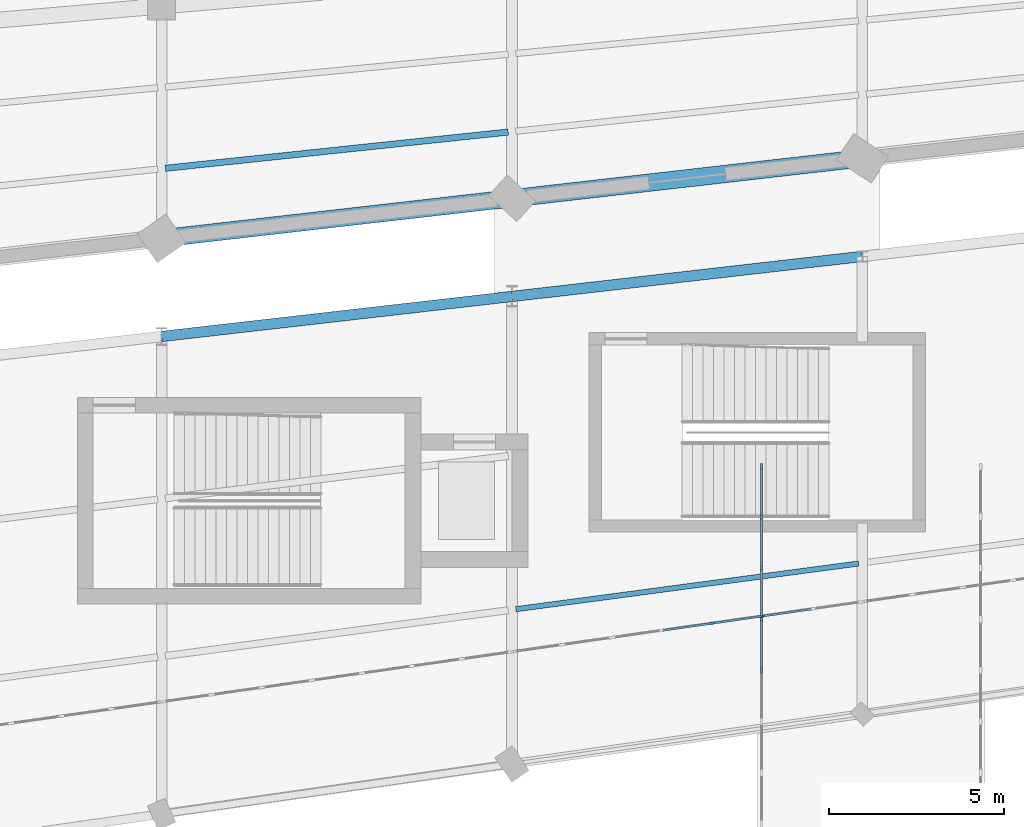
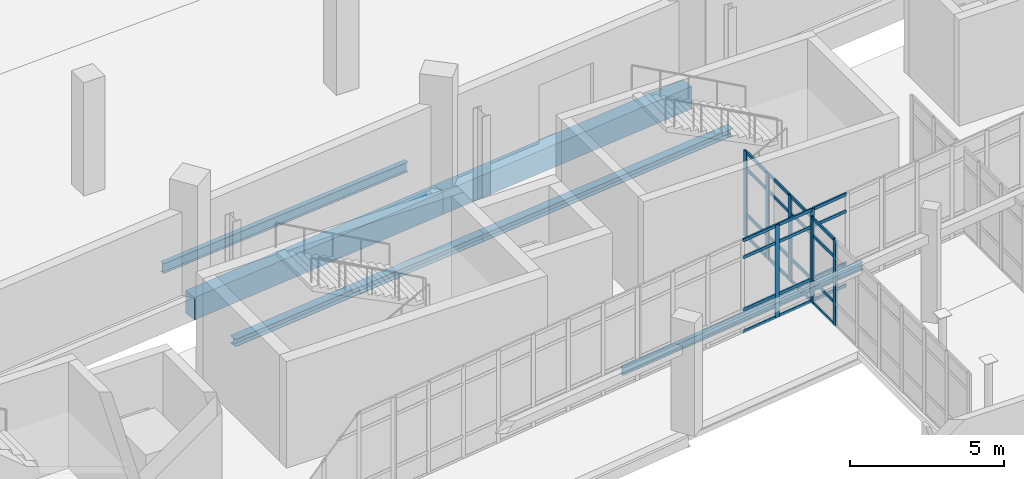
# One storey, part 45 of 122: 35 members, 6 beams, 2 elements without a shape of their own.
"""IFC4 building model written with IfcOpenShell, lengths in metres."""

from ifc_helpers import new_model, si_unit, direction, frame, origin, origin_2d, place, context, subcontext, project, spatial, rectangle, i_section, extrude, material, layer, layer_set, material_profile, profile_set, type_object, element, aggregate, save


model = new_model("IFC4")

# Units and contexts
model_context = context("Model", 3, precision=1e-05, world=origin(), true_north=direction((0.0, 1.0)))
body_context = subcontext(model_context, "Body", "Model", "MODEL_VIEW")
ifc_project = project(units=[si_unit("LENGTHUNIT", "METRE"), si_unit("AREAUNIT", "SQUARE_METRE"), si_unit("VOLUMEUNIT", "CUBIC_METRE"), si_unit("PLANEANGLEUNIT", "RADIAN"), si_unit("MASSUNIT", "GRAM", prefix="KILO")], contexts=[model_context])

# Site, building, storey
site_placement = place(None, origin())
site = spatial("IfcSite", under=ifc_project, at=site_placement, CompositionType="ELEMENT")
building_placement = place(site_placement, origin())
building = spatial("IfcBuilding", under=site, at=building_placement, Name="Sohan Crest Arena", CompositionType="ELEMENT")
storey_placement = place(building_placement, origin())
storey = spatial("IfcBuildingStorey", under=building, at=storey_placement, Name="L00", CompositionType="ELEMENT", Elevation=0.0)

# Curtain wall, members
ifc_material_1 = material(Name="Thermally broken anodised aluminium", Category="aluminium")
ifc_layer_1 = layer(ifc_material_1, 0.179931640625, Name="Thermally broken anodised aluminium")
ifc_layer_set_1 = layer_set([ifc_layer_1], Name="Thermally broken anodised aluminium")
curtain_wall_type_1 = type_object("IfcCurtainWallType", Name="ARC-CW01", PredefinedType="NOTDEFINED", material=ifc_layer_set_1)
curtain_wall_1_placement = place(storey_placement, origin())
curtain_wall_1 = element("IfcCurtainWall", 1, at=curtain_wall_1_placement, inside=storey, type_object=curtain_wall_type_1, Name="Unitised curtain wall CW-010", PredefinedType="NOTDEFINED")
ifc_material_profile_1 = material_profile(ifc_material_1, rectangle(XDim=0.06005859375, YDim=0.159912109375, at=origin_2d()), Name="ALU-MULL 60x160")
ifc_profile_set_1 = profile_set([ifc_material_profile_1], Name="Thermally broken anodised aluminium")
member_type_1 = type_object("IfcMemberType", Name="ARC-CW-ML01", PredefinedType="MULLION", material=ifc_profile_set_1)
member_1_placement = place(storey_placement, frame((133.71435546875, 38.302001953125, 0.0), z_axis=(0.0, 0.0, 1.0), x_axis=(-0.141365918403, 0.989957411768, 0.0)))
member_1 = element("IfcMember", 2, at=member_1_placement, type_object=member_type_1, Name="CW-010 mullion 5", PredefinedType="MULLION", context=body_context, shape_type="SweptSolid", body=[
    extrude(rectangle(XDim=0.06005859375, YDim=0.159912109375, at=origin_2d()), origin(), (0.0, 0.0, 1.0), 3.679931640625),
])
member_2_placement = place(storey_placement, frame((135.142822265625, 38.506103515625, 0.0), z_axis=(0.0, 0.0, 1.0), x_axis=(-0.141365918403, 0.989957411768, 0.0)))
member_2 = element("IfcMember", 3, at=member_2_placement, type_object=member_type_1, Name="CW-010 mullion 6", PredefinedType="MULLION", context=body_context, shape_type="SweptSolid", body=[
    extrude(rectangle(XDim=0.06005859375, YDim=0.159912109375, at=origin_2d()), origin(), (0.0, 0.0, 1.0), 3.679931640625),
])

ifc_layer_2 = layer(ifc_material_1, 0.18994140625, Name="Thermally broken anodised aluminium")
ifc_layer_set_2 = layer_set([ifc_layer_2], Name="Thermally broken anodised aluminium")
curtain_wall_type_2 = type_object("IfcCurtainWallType", Name="ARC-CW05", PredefinedType="NOTDEFINED", material=ifc_layer_set_2)
curtain_wall_2_placement = place(storey_placement, origin())
curtain_wall_2 = element("IfcCurtainWall", 4, at=curtain_wall_2_placement, inside=storey, type_object=curtain_wall_type_2, Name="Unitised curtain wall CW-253", PredefinedType="NOTDEFINED")
ifc_material_profile_2 = material_profile(ifc_material_1, rectangle(XDim=0.06494140625, YDim=0.179931640625, at=origin_2d()), Name="ALU-MULL 65x180")
ifc_profile_set_2 = profile_set([ifc_material_profile_2], Name="Thermally broken anodised aluminium")
member_type_2 = type_object("IfcMemberType", Name="ARC-CW-ML02", PredefinedType="MULLION", material=ifc_profile_set_2)
member_3_placement = place(storey_placement, frame((135.1201171875, 36.9599609375, 0.0), z_axis=(0.0, 0.0, 1.0), x_axis=(-1.0, 0.0, 0.0)))
member_3 = element("IfcMember", 5, at=member_3_placement, type_object=member_type_2, Name="CW-253 mullion 7", PredefinedType="MULLION", context=body_context, shape_type="SweptSolid", body=[
    extrude(rectangle(XDim=0.06494140625, YDim=0.179931640625, at=origin_2d()), origin(), (0.0, 0.0, 1.0), 3.39990234375),
])
member_4_placement = place(storey_placement, frame((135.1201171875, 38.419921875, 0.0), z_axis=(0.0, 0.0, 1.0), x_axis=(-1.0, 0.0, 0.0)))
member_4 = element("IfcMember", 6, at=member_4_placement, type_object=member_type_2, Name="CW-253 mullion 8", PredefinedType="MULLION", context=body_context, shape_type="SweptSolid", body=[
    extrude(rectangle(XDim=0.06494140625, YDim=0.179931640625, at=origin_2d()), origin(), (0.0, 0.0, 1.0), 3.39990234375),
])
member_5_placement = place(storey_placement, frame((135.1201171875, 39.8798828125, 0.0), z_axis=(0.0, 0.0, 1.0), x_axis=(-1.0, 0.0, 0.0)))
member_5 = element("IfcMember", 7, at=member_5_placement, type_object=member_type_2, Name="CW-253 mullion 9", PredefinedType="MULLION", context=body_context, shape_type="SweptSolid", body=[
    extrude(rectangle(XDim=0.06494140625, YDim=0.179931640625, at=origin_2d()), origin(), (0.0, 0.0, 1.0), 3.39990234375),
])
member_6_placement = place(storey_placement, frame((135.1201171875, 41.340087890625, 0.0), z_axis=(0.0, 0.0, 1.0), x_axis=(-1.0, 0.0, 0.0)))
member_6 = element("IfcMember", 8, at=member_6_placement, type_object=member_type_2, Name="CW-253 mullion 10", PredefinedType="MULLION", context=body_context, shape_type="SweptSolid", body=[
    extrude(rectangle(XDim=0.06494140625, YDim=0.179931640625, at=origin_2d()), origin(), (0.0, 0.0, 1.0), 3.39990234375),
])
member_7_placement = place(storey_placement, frame((135.1201171875, 42.767578125, 0.0), z_axis=(0.0, 0.0, 1.0), x_axis=(-1.0, 0.0, 0.0)))
member_7 = element("IfcMember", 9, at=member_7_placement, type_object=member_type_2, Name="CW-253 mullion 11", PredefinedType="MULLION", context=body_context, shape_type="SweptSolid", body=[
    extrude(rectangle(XDim=0.06494140625, YDim=0.179931640625, at=origin_2d()), origin(), (0.0, 0.0, 1.0), 3.39990234375),
])

# Member
ifc_material_profile_3 = material_profile(ifc_material_1, rectangle(XDim=0.06005859375, YDim=0.1201171875, at=origin_2d()), Name="ALU-TRAN 60x120")
ifc_profile_set_3 = profile_set([ifc_material_profile_3], Name="Thermally broken anodised aluminium")
member_type_3 = type_object("IfcMemberType", Name="ARC-CW-TR01", PredefinedType="USERDEFINED", material=ifc_profile_set_3)
member_8_placement = place(storey_placement, frame((132.3154296875, 38.102294921875, 0.030029296875), z_axis=(0.989953023856, 0.141396642673, 0.0), x_axis=(-0.141396642673, 0.989953023856, 0.0)))
member_8 = element("IfcMember", 10, at=member_8_placement, type_object=member_type_3, Name="CW-010 transom 4.1", ObjectType="TRANSOM", PredefinedType="USERDEFINED", context=body_context, shape_type="SweptSolid", body=[
    extrude(rectangle(XDim=0.06005859375, YDim=0.1201171875, at=origin_2d()), origin(), (0.0, 0.0, 1.0), 1.383056640625),
])

member_9_placement = place(storey_placement, frame((132.3154296875, 38.102294921875, 0.89990234375), z_axis=(0.989953023856, 0.141396642673, 0.0), x_axis=(-0.141396642673, 0.989953023856, 0.0)))
member_9 = element("IfcMember", 11, at=member_9_placement, type_object=member_type_3, Name="CW-010 transom 4.2", ObjectType="TRANSOM", PredefinedType="USERDEFINED", context=body_context, shape_type="SweptSolid", body=[
    extrude(rectangle(XDim=0.06005859375, YDim=0.1201171875, at=origin_2d()), origin(), (0.0, 0.0, 1.0), 1.383056640625),
])

member_10_placement = place(storey_placement, frame((132.3154296875, 38.102294921875, 2.97998046875), z_axis=(0.989953023856, 0.141396642673, 0.0), x_axis=(-0.141396642673, 0.989953023856, 0.0)))
member_10 = element("IfcMember", 12, at=member_10_placement, type_object=member_type_3, Name="CW-010 transom 4.3", ObjectType="TRANSOM", PredefinedType="USERDEFINED", context=body_context, shape_type="SweptSolid", body=[
    extrude(rectangle(XDim=0.06005859375, YDim=0.1201171875, at=origin_2d()), origin(), (0.0, 0.0, 1.0), 1.383056640625),
])

member_11_placement = place(storey_placement, frame((132.3154296875, 38.102294921875, 3.64990234375), z_axis=(0.989953023856, 0.141396642673, 0.0), x_axis=(-0.141396642673, 0.989953023856, 0.0)))
member_11 = element("IfcMember", 13, at=member_11_placement, type_object=member_type_3, Name="CW-010 transom 4.4", ObjectType="TRANSOM", PredefinedType="USERDEFINED", context=body_context, shape_type="SweptSolid", body=[
    extrude(rectangle(XDim=0.06005859375, YDim=0.1201171875, at=origin_2d()), origin(), (0.0, 0.0, 1.0), 1.383056640625),
])

member_12_placement = place(storey_placement, frame((133.743896484375, 38.30615234375, 0.030029296875), z_axis=(0.989953023856, 0.141396642673, 0.0), x_axis=(-0.141396642673, 0.989953023856, 0.0)))
member_12 = element("IfcMember", 14, at=member_12_placement, type_object=member_type_3, Name="CW-010 transom 5.1", ObjectType="TRANSOM", PredefinedType="USERDEFINED", context=body_context, shape_type="SweptSolid", body=[
    extrude(rectangle(XDim=0.06005859375, YDim=0.1201171875, at=origin_2d()), origin(), (0.0, 0.0, 1.0), 1.383056640625),
])

member_13_placement = place(storey_placement, frame((133.743896484375, 38.30615234375, 0.89990234375), z_axis=(0.989953023856, 0.141396642673, 0.0), x_axis=(-0.141396642673, 0.989953023856, 0.0)))
member_13 = element("IfcMember", 15, at=member_13_placement, type_object=member_type_3, Name="CW-010 transom 5.2", ObjectType="TRANSOM", PredefinedType="USERDEFINED", context=body_context, shape_type="SweptSolid", body=[
    extrude(rectangle(XDim=0.06005859375, YDim=0.1201171875, at=origin_2d()), origin(), (0.0, 0.0, 1.0), 1.383056640625),
])

member_14_placement = place(storey_placement, frame((133.743896484375, 38.30615234375, 2.97998046875), z_axis=(0.989953023856, 0.141396642673, 0.0), x_axis=(-0.141396642673, 0.989953023856, 0.0)))
member_14 = element("IfcMember", 16, at=member_14_placement, type_object=member_type_3, Name="CW-010 transom 5.3", ObjectType="TRANSOM", PredefinedType="USERDEFINED", context=body_context, shape_type="SweptSolid", body=[
    extrude(rectangle(XDim=0.06005859375, YDim=0.1201171875, at=origin_2d()), origin(), (0.0, 0.0, 1.0), 1.383056640625),
])

member_15_placement = place(storey_placement, frame((133.743896484375, 38.30615234375, 3.64990234375), z_axis=(0.989953023856, 0.141396642673, 0.0), x_axis=(-0.141396642673, 0.989953023856, 0.0)))
member_15 = element("IfcMember", 17, at=member_15_placement, type_object=member_type_3, Name="CW-010 transom 5.4", ObjectType="TRANSOM", PredefinedType="USERDEFINED", context=body_context, shape_type="SweptSolid", body=[
    extrude(rectangle(XDim=0.06005859375, YDim=0.1201171875, at=origin_2d()), origin(), (0.0, 0.0, 1.0), 1.383056640625),
])

member_16_placement = place(storey_placement, frame((135.172607421875, 38.51025390625, 0.030029296875), z_axis=(0.989953023856, 0.141396642673, 0.0), x_axis=(-0.141396642673, 0.989953023856, 0.0)))
member_16 = element("IfcMember", 18, at=member_16_placement, type_object=member_type_3, Name="CW-010 transom 6.1", ObjectType="TRANSOM", PredefinedType="USERDEFINED", context=body_context, shape_type="SweptSolid", body=[
    extrude(rectangle(XDim=0.06005859375, YDim=0.1201171875, at=origin_2d()), origin(), (0.0, 0.0, 1.0), 1.383056640625),
])

member_17_placement = place(storey_placement, frame((135.172607421875, 38.51025390625, 0.89990234375), z_axis=(0.989953023856, 0.141396642673, 0.0), x_axis=(-0.141396642673, 0.989953023856, 0.0)))
member_17 = element("IfcMember", 19, at=member_17_placement, type_object=member_type_3, Name="CW-010 transom 6.2", ObjectType="TRANSOM", PredefinedType="USERDEFINED", context=body_context, shape_type="SweptSolid", body=[
    extrude(rectangle(XDim=0.06005859375, YDim=0.1201171875, at=origin_2d()), origin(), (0.0, 0.0, 1.0), 1.383056640625),
])

member_18_placement = place(storey_placement, frame((135.172607421875, 38.51025390625, 2.97998046875), z_axis=(0.989953023856, 0.141396642673, 0.0), x_axis=(-0.141396642673, 0.989953023856, 0.0)))
member_18 = element("IfcMember", 20, at=member_18_placement, type_object=member_type_3, Name="CW-010 transom 6.3", ObjectType="TRANSOM", PredefinedType="USERDEFINED", context=body_context, shape_type="SweptSolid", body=[
    extrude(rectangle(XDim=0.06005859375, YDim=0.1201171875, at=origin_2d()), origin(), (0.0, 0.0, 1.0), 1.383056640625),
])

member_19_placement = place(storey_placement, frame((135.172607421875, 38.51025390625, 3.64990234375), z_axis=(0.989953023856, 0.141396642673, 0.0), x_axis=(-0.141396642673, 0.989953023856, 0.0)))
member_19 = element("IfcMember", 21, at=member_19_placement, type_object=member_type_3, Name="CW-010 transom 6.4", ObjectType="TRANSOM", PredefinedType="USERDEFINED", context=body_context, shape_type="SweptSolid", body=[
    extrude(rectangle(XDim=0.06005859375, YDim=0.1201171875, at=origin_2d()), origin(), (0.0, 0.0, 1.0), 1.383056640625),
])

aggregate(curtain_wall_1, [member_1, member_2, member_8, member_9, member_10, member_11, member_12, member_13, member_14, member_15, member_16, member_17, member_18, member_19])

member_20_placement = place(storey_placement, frame((135.1201171875, 36.992431640625, 0.030029296875), z_axis=(0.0, 1.0, 0.0), x_axis=(-1.0, 0.0, 0.0)))
member_20 = element("IfcMember", 22, at=member_20_placement, type_object=member_type_3, Name="CW-253 transom 7.1", ObjectType="TRANSOM", PredefinedType="USERDEFINED", context=body_context, shape_type="SweptSolid", body=[
    extrude(rectangle(XDim=0.06005859375, YDim=0.1201171875, at=origin_2d()), origin(), (0.0, 0.0, 1.0), 1.39501953125),
])

member_21_placement = place(storey_placement, frame((135.1201171875, 36.992431640625, 0.89990234375), z_axis=(0.0, 1.0, 0.0), x_axis=(-1.0, 0.0, 0.0)))
member_21 = element("IfcMember", 23, at=member_21_placement, type_object=member_type_3, Name="CW-253 transom 7.2", ObjectType="TRANSOM", PredefinedType="USERDEFINED", context=body_context, shape_type="SweptSolid", body=[
    extrude(rectangle(XDim=0.06005859375, YDim=0.1201171875, at=origin_2d()), origin(), (0.0, 0.0, 1.0), 1.39501953125),
])

member_22_placement = place(storey_placement, frame((135.1201171875, 36.992431640625, 2.699951171875), z_axis=(0.0, 1.0, 0.0), x_axis=(-1.0, 0.0, 0.0)))
member_22 = element("IfcMember", 24, at=member_22_placement, type_object=member_type_3, Name="CW-253 transom 7.3", ObjectType="TRANSOM", PredefinedType="USERDEFINED", context=body_context, shape_type="SweptSolid", body=[
    extrude(rectangle(XDim=0.06005859375, YDim=0.1201171875, at=origin_2d()), origin(), (0.0, 0.0, 1.0), 1.39501953125),
])

member_23_placement = place(storey_placement, frame((135.1201171875, 36.992431640625, 3.3701171875), z_axis=(0.0, 1.0, 0.0), x_axis=(-1.0, 0.0, 0.0)))
member_23 = element("IfcMember", 25, at=member_23_placement, type_object=member_type_3, Name="CW-253 transom 7.4", ObjectType="TRANSOM", PredefinedType="USERDEFINED", context=body_context, shape_type="SweptSolid", body=[
    extrude(rectangle(XDim=0.06005859375, YDim=0.1201171875, at=origin_2d()), origin(), (0.0, 0.0, 1.0), 1.39501953125),
])

member_24_placement = place(storey_placement, frame((135.1201171875, 38.452392578125, 0.030029296875), z_axis=(0.0, 1.0, 0.0), x_axis=(-1.0, 0.0, 0.0)))
member_24 = element("IfcMember", 26, at=member_24_placement, type_object=member_type_3, Name="CW-253 transom 8.1", ObjectType="TRANSOM", PredefinedType="USERDEFINED", context=body_context, shape_type="SweptSolid", body=[
    extrude(rectangle(XDim=0.06005859375, YDim=0.1201171875, at=origin_2d()), origin(), (0.0, 0.0, 1.0), 1.39501953125),
])

member_25_placement = place(storey_placement, frame((135.1201171875, 38.452392578125, 0.89990234375), z_axis=(0.0, 1.0, 0.0), x_axis=(-1.0, 0.0, 0.0)))
member_25 = element("IfcMember", 27, at=member_25_placement, type_object=member_type_3, Name="CW-253 transom 8.2", ObjectType="TRANSOM", PredefinedType="USERDEFINED", context=body_context, shape_type="SweptSolid", body=[
    extrude(rectangle(XDim=0.06005859375, YDim=0.1201171875, at=origin_2d()), origin(), (0.0, 0.0, 1.0), 1.39501953125),
])

member_26_placement = place(storey_placement, frame((135.1201171875, 38.452392578125, 2.699951171875), z_axis=(0.0, 1.0, 0.0), x_axis=(-1.0, 0.0, 0.0)))
member_26 = element("IfcMember", 28, at=member_26_placement, type_object=member_type_3, Name="CW-253 transom 8.3", ObjectType="TRANSOM", PredefinedType="USERDEFINED", context=body_context, shape_type="SweptSolid", body=[
    extrude(rectangle(XDim=0.06005859375, YDim=0.1201171875, at=origin_2d()), origin(), (0.0, 0.0, 1.0), 1.39501953125),
])

member_27_placement = place(storey_placement, frame((135.1201171875, 38.452392578125, 3.3701171875), z_axis=(0.0, 1.0, 0.0), x_axis=(-1.0, 0.0, 0.0)))
member_27 = element("IfcMember", 29, at=member_27_placement, type_object=member_type_3, Name="CW-253 transom 8.4", ObjectType="TRANSOM", PredefinedType="USERDEFINED", context=body_context, shape_type="SweptSolid", body=[
    extrude(rectangle(XDim=0.06005859375, YDim=0.1201171875, at=origin_2d()), origin(), (0.0, 0.0, 1.0), 1.39501953125),
])

member_28_placement = place(storey_placement, frame((135.1201171875, 39.91259765625, 0.030029296875), z_axis=(0.0, 1.0, 0.0), x_axis=(-1.0, 0.0, 0.0)))
member_28 = element("IfcMember", 30, at=member_28_placement, type_object=member_type_3, Name="CW-253 transom 9.1", ObjectType="TRANSOM", PredefinedType="USERDEFINED", context=body_context, shape_type="SweptSolid", body=[
    extrude(rectangle(XDim=0.06005859375, YDim=0.1201171875, at=origin_2d()), origin(), (0.0, 0.0, 1.0), 1.39501953125),
])

member_29_placement = place(storey_placement, frame((135.1201171875, 39.91259765625, 0.89990234375), z_axis=(0.0, 1.0, 0.0), x_axis=(-1.0, 0.0, 0.0)))
member_29 = element("IfcMember", 31, at=member_29_placement, type_object=member_type_3, Name="CW-253 transom 9.2", ObjectType="TRANSOM", PredefinedType="USERDEFINED", context=body_context, shape_type="SweptSolid", body=[
    extrude(rectangle(XDim=0.06005859375, YDim=0.1201171875, at=origin_2d()), origin(), (0.0, 0.0, 1.0), 1.39501953125),
])

member_30_placement = place(storey_placement, frame((135.1201171875, 39.91259765625, 2.699951171875), z_axis=(0.0, 1.0, 0.0), x_axis=(-1.0, 0.0, 0.0)))
member_30 = element("IfcMember", 32, at=member_30_placement, type_object=member_type_3, Name="CW-253 transom 9.3", ObjectType="TRANSOM", PredefinedType="USERDEFINED", context=body_context, shape_type="SweptSolid", body=[
    extrude(rectangle(XDim=0.06005859375, YDim=0.1201171875, at=origin_2d()), origin(), (0.0, 0.0, 1.0), 1.39501953125),
])

member_31_placement = place(storey_placement, frame((135.1201171875, 39.91259765625, 3.3701171875), z_axis=(0.0, 1.0, 0.0), x_axis=(-1.0, 0.0, 0.0)))
member_31 = element("IfcMember", 33, at=member_31_placement, type_object=member_type_3, Name="CW-253 transom 9.4", ObjectType="TRANSOM", PredefinedType="USERDEFINED", context=body_context, shape_type="SweptSolid", body=[
    extrude(rectangle(XDim=0.06005859375, YDim=0.1201171875, at=origin_2d()), origin(), (0.0, 0.0, 1.0), 1.39501953125),
])

member_32_placement = place(storey_placement, frame((135.1201171875, 41.37255859375, 0.030029296875), z_axis=(0.0, 1.0, 0.0), x_axis=(-1.0, 0.0, 0.0)))
member_32 = element("IfcMember", 34, at=member_32_placement, type_object=member_type_3, Name="CW-253 transom 10.1", ObjectType="TRANSOM", PredefinedType="USERDEFINED", context=body_context, shape_type="SweptSolid", body=[
    extrude(rectangle(XDim=0.06005859375, YDim=0.1201171875, at=origin_2d()), origin(), (0.0, 0.0, 1.0), 1.362548828125),
])

member_33_placement = place(storey_placement, frame((135.1201171875, 41.37255859375, 0.89990234375), z_axis=(0.0, 1.0, 0.0), x_axis=(-1.0, 0.0, 0.0)))
member_33 = element("IfcMember", 35, at=member_33_placement, type_object=member_type_3, Name="CW-253 transom 10.2", ObjectType="TRANSOM", PredefinedType="USERDEFINED", context=body_context, shape_type="SweptSolid", body=[
    extrude(rectangle(XDim=0.06005859375, YDim=0.1201171875, at=origin_2d()), origin(), (0.0, 0.0, 1.0), 1.362548828125),
])

member_34_placement = place(storey_placement, frame((135.1201171875, 41.37255859375, 2.699951171875), z_axis=(0.0, 1.0, 0.0), x_axis=(-1.0, 0.0, 0.0)))
member_34 = element("IfcMember", 36, at=member_34_placement, type_object=member_type_3, Name="CW-253 transom 10.3", ObjectType="TRANSOM", PredefinedType="USERDEFINED", context=body_context, shape_type="SweptSolid", body=[
    extrude(rectangle(XDim=0.06005859375, YDim=0.1201171875, at=origin_2d()), origin(), (0.0, 0.0, 1.0), 1.362548828125),
])

member_35_placement = place(storey_placement, frame((135.1201171875, 41.37255859375, 3.3701171875), z_axis=(0.0, 1.0, 0.0), x_axis=(-1.0, 0.0, 0.0)))
member_35 = element("IfcMember", 37, at=member_35_placement, type_object=member_type_3, Name="CW-253 transom 10.4", ObjectType="TRANSOM", PredefinedType="USERDEFINED", context=body_context, shape_type="SweptSolid", body=[
    extrude(rectangle(XDim=0.06005859375, YDim=0.1201171875, at=origin_2d()), origin(), (0.0, 0.0, 1.0), 1.362548828125),
])

aggregate(curtain_wall_2, [member_3, member_4, member_5, member_6, member_7, member_20, member_21, member_22, member_23, member_24, member_25, member_26, member_27, member_28, member_29, member_30, member_31, member_32, member_33, member_34, member_35])

# Beams
ifc_material_2 = material(Name="Steel S355", Category="steel")
ifc_material_profile_4 = material_profile(ifc_material_2, i_section(OverallWidth=0.14990234375, OverallDepth=0.300048828125, WebThickness=0.007080078125, FlangeThickness=0.0107421875, at=origin_2d()), Name="IPE 300")
ifc_profile_set_4 = profile_set([ifc_material_profile_4], Name="Steel S355")
beam_type_1 = type_object("IfcBeamType", Name="STR-BM-B01", PredefinedType="JOIST", material=ifc_profile_set_4)
beam_1_placement = place(storey_placement, frame((128.10888671875, 38.7041015625, -0.425048828125), z_axis=(0.991232437337, 0.132129690721, 0.0), x_axis=(-0.132129690721, 0.991232437337, 0.0)))
element("IfcBeam", 38, at=beam_1_placement, inside=storey, type_object=beam_type_1, Name="Structural beam J-L00-0983", PredefinedType="JOIST", context=body_context, shape_type="SweptSolid", body=[
    extrude(i_section(OverallWidth=0.14990234375, OverallDepth=0.300048828125, WebThickness=0.007080078125, FlangeThickness=0.0107421875, at=origin_2d()), origin(), (0.0, 0.0, 1.0), 9.86865234375),
])
ifc_material_profile_5 = material_profile(ifc_material_2, i_section(OverallWidth=0.179931640625, OverallDepth=0.39990234375, WebThickness=0.008544921875, FlangeThickness=0.013427734375, at=origin_2d()), Name="IPE 400")
ifc_profile_set_5 = profile_set([ifc_material_profile_5], Name="Steel S355")
beam_type_2 = type_object("IfcBeamType", Name="STR-BM-B03", PredefinedType="JOIST", material=ifc_profile_set_5)
beam_2_placement = place(storey_placement, frame((118.10888671875, 51.285888671875, -0.449951171875), z_axis=(0.994458024707, 0.105134376377, 0.0), x_axis=(-0.105134376377, 0.994458024707, 0.0)))
element("IfcBeam", 39, at=beam_2_placement, inside=storey, type_object=beam_type_2, Name="Structural beam J-L00-0371", PredefinedType="JOIST", context=body_context, shape_type="SweptSolid", body=[
    extrude(i_section(OverallWidth=0.179931640625, OverallDepth=0.39990234375, WebThickness=0.008544921875, FlangeThickness=0.013427734375, at=origin_2d()), origin(), (0.0, 0.0, 1.0), 9.836669921875),
])
ifc_material_profile_6 = material_profile(ifc_material_2, i_section(OverallWidth=0.300048828125, OverallDepth=0.300048828125, WebThickness=0.010986328125, FlangeThickness=0.01904296875, at=origin_2d()), Name="HEB 300")
ifc_profile_set_6 = profile_set([ifc_material_profile_6], Name="Steel S355")
beam_type_3 = type_object("IfcBeamType", Name="STR-BM-B12", PredefinedType="BEAM", material=ifc_profile_set_6)
beam_3_placement = place(storey_placement, frame((118.0, 46.486083984375, -0.425048828125), z_axis=(0.993533063564, 0.113543170668, 0.0), x_axis=(-0.113543170668, 0.993533063564, 0.0)))
element("IfcBeam", 40, at=beam_3_placement, inside=storey, type_object=beam_type_3, Name="Structural beam G-L00-0974", PredefinedType="BEAM", context=body_context, shape_type="SweptSolid", body=[
    extrude(i_section(OverallWidth=0.300048828125, OverallDepth=0.300048828125, WebThickness=0.010986328125, FlangeThickness=0.01904296875, at=origin_2d()), origin(), (0.0, 0.0, 1.0), 10.065185546875),
])
beam_4_placement = place(storey_placement, frame((128.0, 47.62890625, -0.425048828125), z_axis=(0.993541269973, 0.113471339378, 0.0), x_axis=(-0.113471339378, 0.993541269973, 0.0)))
element("IfcBeam", 41, at=beam_4_placement, inside=storey, type_object=beam_type_3, Name="Structural beam G-L00-0980", PredefinedType="BEAM", context=body_context, shape_type="SweptSolid", body=[
    extrude(i_section(OverallWidth=0.300048828125, OverallDepth=0.300048828125, WebThickness=0.010986328125, FlangeThickness=0.01904296875, at=origin_2d()), origin(), (0.0, 0.0, 1.0), 10.06494140625),
])
ifc_material_3 = material(Name="Concrete C40/50", Category="concrete")
ifc_material_profile_7 = material_profile(ifc_material_3, rectangle(XDim=0.5, YDim=0.89990234375, at=origin_2d()), Name="RC-BM 500x900")
ifc_profile_set_7 = profile_set([ifc_material_profile_7], Name="Concrete C40/50")
beam_type_4 = type_object("IfcBeamType", Name="STR-BM-TB03", PredefinedType="BEAM", material=ifc_profile_set_7)
beam_5_placement = place(storey_placement, frame((118.0, 49.285888671875, -0.699951171875), z_axis=(0.99353032697, 0.113567114035, 0.0), x_axis=(-0.113567114035, 0.99353032697, 0.0)))
element("IfcBeam", 42, at=beam_5_placement, inside=storey, type_object=beam_type_4, Name="Structural beam TB-L00-0368", PredefinedType="BEAM", context=body_context, shape_type="SweptSolid", body=[
    extrude(rectangle(XDim=0.5, YDim=0.89990234375, at=origin_2d()), origin(), (0.0, 0.0, 1.0), 10.065185546875),
])
beam_6_placement = place(storey_placement, frame((128.0, 50.428955078125, -0.699951171875), z_axis=(0.993541269973, 0.113471339378, 0.0), x_axis=(-0.113471339378, 0.993541269973, 0.0)))
element("IfcBeam", 43, at=beam_6_placement, inside=storey, type_object=beam_type_4, Name="Structural beam TB-L00-0390", PredefinedType="BEAM", context=body_context, shape_type="SweptSolid", body=[
    extrude(rectangle(XDim=0.5, YDim=0.89990234375, at=origin_2d()), origin(), (0.0, 0.0, 1.0), 10.06494140625),
])

save(model, "model.ifc")
